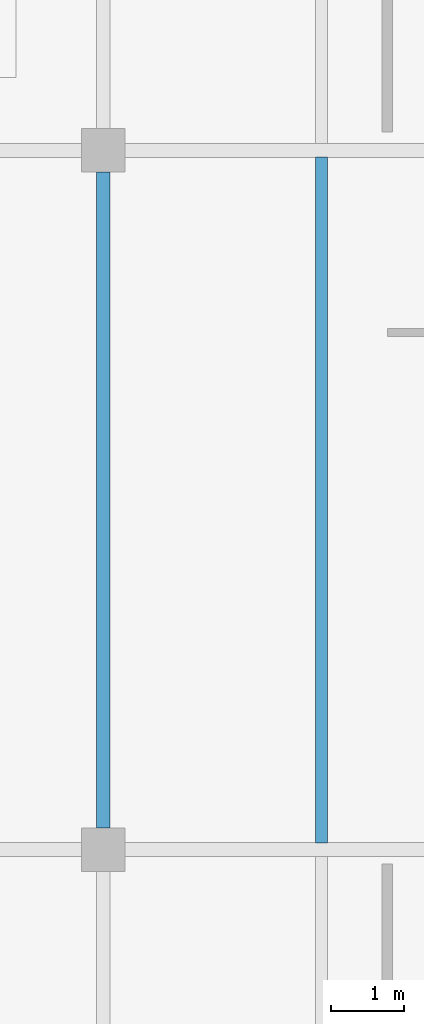
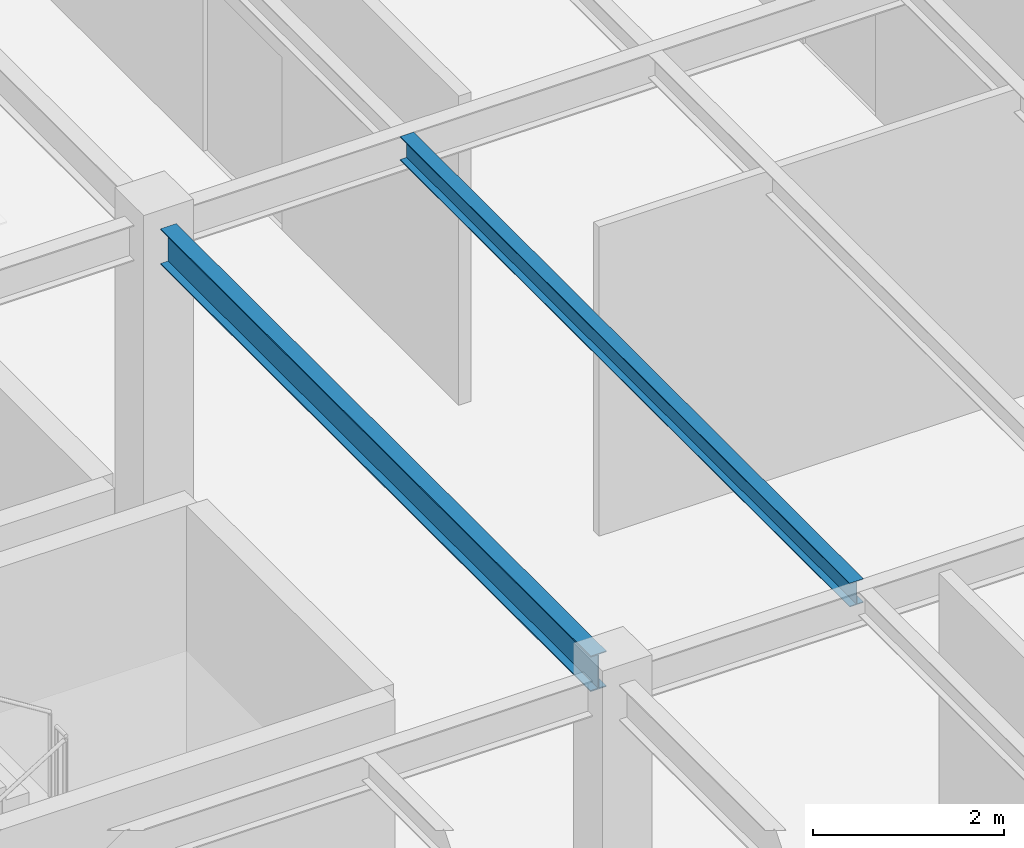
# One storey, part 10 of 37: 2 beams.
"""IFC4 building model written with IfcOpenShell, lengths in metres."""

from ifc_helpers import new_model, si_unit, direction, frame, origin, origin_2d, place, context, subcontext, project, spatial, i_section, extrude, material, material_profile, profile_set, type_object, element, save


model = new_model("IFC4")

# Units and contexts
model_context = context("Model", 3, precision=1e-05, world=origin(), true_north=direction((0.0, 1.0)))
body_context = subcontext(model_context, "Body", "Model", "MODEL_VIEW")
ifc_project = project(units=[si_unit("LENGTHUNIT", "METRE"), si_unit("AREAUNIT", "SQUARE_METRE"), si_unit("VOLUMEUNIT", "CUBIC_METRE"), si_unit("PLANEANGLEUNIT", "RADIAN"), si_unit("MASSUNIT", "GRAM", prefix="KILO")], contexts=[model_context])

# Site, building, storey
site_placement = place(None, origin())
site = spatial("IfcSite", under=ifc_project, at=site_placement, CompositionType="ELEMENT")
building_placement = place(site_placement, origin())
building = spatial("IfcBuilding", under=site, at=building_placement, Name="Pandanus Reach Market Hall", CompositionType="ELEMENT")
storey_placement = place(building_placement, frame((0.0, 0.0, 14.39990234375)))
storey = spatial("IfcBuildingStorey", under=building, at=storey_placement, Name="L03", CompositionType="ELEMENT", Elevation=14.39990234375)

# Beams
ifc_material = material(Name="Steel Grade 350 (350 MPa)", Category="steel")
ifc_material_profile_1 = material_profile(ifc_material, i_section(OverallWidth=0.18994140625, OverallDepth=0.45703125, WebThickness=0.009033203125, FlangeThickness=0.014404296875, at=origin_2d()), Name="460UB74.6", Category="LoadBearing")
ifc_profile_set_1 = profile_set([ifc_material_profile_1], Name="Steel Grade 350 (350 MPa)")
beam_type_1 = type_object("IfcBeamType", Name="BM-UB460-I", PredefinedType="BEAM", material=ifc_profile_set_1)
beam_1_placement = place(storey_placement, frame((156.0, 48.298095703125, 3.731201171875), z_axis=(0.0, 1.0, 0.0), x_axis=(-1.0, 0.0, 0.0)))
element("IfcBeam", 1, at=beam_1_placement, inside=storey, type_object=beam_type_1, Name="Framing beam BM-UB460-I L03.561", PredefinedType="BEAM", context=body_context, shape_type="SweptSolid", body=[
    extrude(i_section(OverallWidth=0.18994140625, OverallDepth=0.45703125, WebThickness=0.009033203125, FlangeThickness=0.014404296875, at=origin_2d()), origin(), (0.0, 0.0, 1.0), 9.00390625),
])
ifc_material_profile_2 = material_profile(ifc_material, i_section(OverallWidth=0.1650390625, OverallDepth=0.303955078125, WebThickness=0.006103515625, FlangeThickness=0.01025390625, at=origin_2d()), Name="310UB40.4", Category="LoadBearing")
ifc_profile_set_2 = profile_set([ifc_material_profile_2], Name="Steel Grade 350 (350 MPa)")
beam_type_2 = type_object("IfcBeamType", Name="JS-UB310-I", PredefinedType="JOIST", material=ifc_profile_set_2)
beam_2_placement = place(storey_placement, frame((159.0, 48.093017578125, 3.8076171875), z_axis=(0.0, 1.0, 0.0), x_axis=(-1.0, 0.0, 0.0)))
element("IfcBeam", 2, at=beam_2_placement, inside=storey, type_object=beam_type_2, Name="Secondary joist JS-UB310-I L03.592", PredefinedType="JOIST", context=body_context, shape_type="SweptSolid", body=[
    extrude(i_section(OverallWidth=0.1650390625, OverallDepth=0.303955078125, WebThickness=0.006103515625, FlangeThickness=0.01025390625, at=origin_2d()), origin(), (0.0, 0.0, 1.0), 9.4140625),
])

save(model, "model.ifc")
